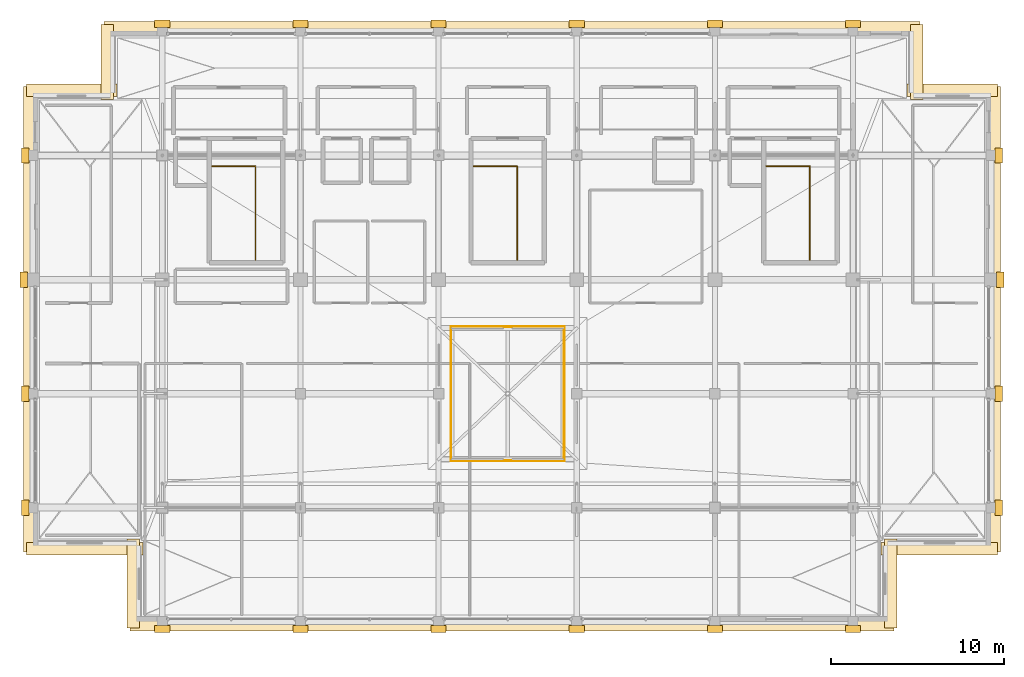
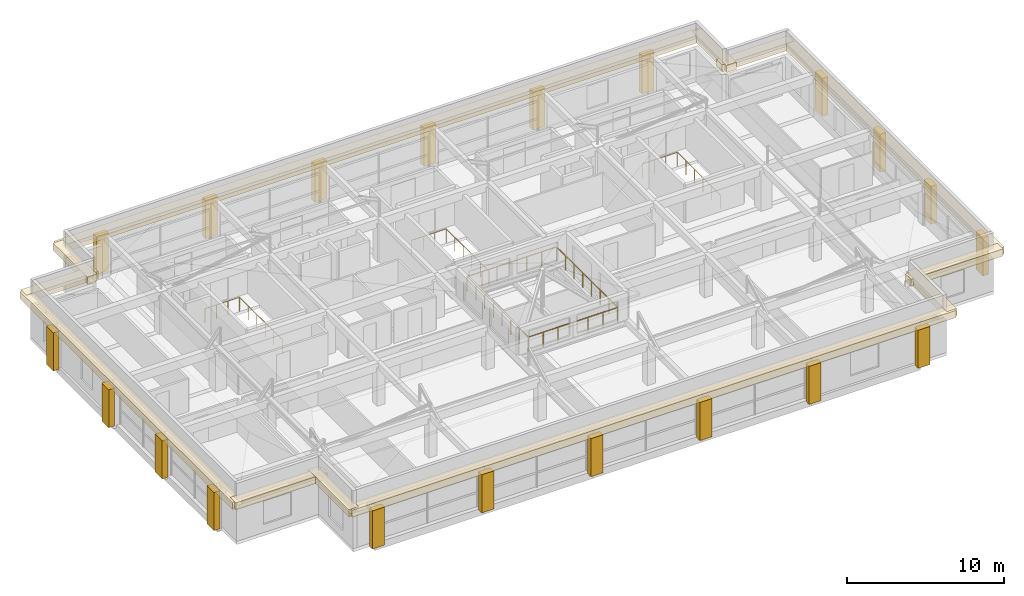
# One storey, part 39 of 39: 32 coverings, 7 railings.
"""IFC4 building model written with IfcOpenShell, lengths in metres."""

import ifcopenshell
import ifcopenshell.guid

model = None  # the IFC model being written
_history = None  # IfcOwnerHistory: only IFC2X3 demands one
_inside = {}  # id of a spatial element -> (the spatial element, [elements in it])
_under = {}  # id of a project, library or spatial element -> (it, [spatial elements below it])
_declared = {}  # id of a project -> (the project, [libraries it declares])
_typed = {}  # id of a type object -> (the type object, [elements of that type])
_made_of = {}  # id of a material, layer set ... -> (it, [elements and type objects made of it])


def new_model(schema):
    """Start an empty IFC model of exactly this schema.

    Asked for "IFC4X3", IfcOpenShell would pick the latest addendum, in which some entities
    have other attributes; the version numbers below select the first issue.
    IFC2X3 requires an IfcOwnerHistory on every rooted entity: one is made here for all.
    """
    global model, _history
    if schema == "IFC4X3":
        model = ifcopenshell.file(schema_version=(4, 3, 0, 0))
    else:
        model = ifcopenshell.file(schema=schema)
    _inside.clear()
    _under.clear()
    _declared.clear()
    _typed.clear()
    _made_of.clear()
    _history = None
    if model.schema == "IFC2X3":
        org = make("IfcOrganization", Name="unknown")
        user = make(
            "IfcPersonAndOrganization",
            ThePerson=make("IfcPerson", FamilyName="unknown"),
            TheOrganization=org,
        )
        app = make(
            "IfcApplication",
            ApplicationDeveloper=org,
            Version="unknown",
            ApplicationFullName="unknown",
            ApplicationIdentifier="unknown",
        )
        _history = make(
            "IfcOwnerHistory",
            OwningUser=user,
            OwningApplication=app,
            ChangeAction="ADDED",
            CreationDate=0,
        )
    return model


def make(cls, **values):
    """One entity of the class cls with the attributes given. An attribute that is None is left unset."""
    return model.create_entity(
        cls, **{name: value for name, value in values.items() if value is not None}
    )


def rooted(cls, **values):
    """An entity with a GlobalId (a new one), such as an element, a storey or a relation."""
    return make(cls, GlobalId=ifcopenshell.guid.new(), OwnerHistory=_history, **values)


def si_unit(unit_type, name, prefix=None):
    """IfcSIUnit, for example si_unit("LENGTHUNIT", "METRE", prefix="MILLI")."""
    return make("IfcSIUnit", UnitType=unit_type, Prefix=prefix, Name=name)


def assignment(units):
    """IfcUnitAssignment: the units of a project."""
    return None if units is None else make("IfcUnitAssignment", Units=units)


def point(xyz):
    """IfcCartesianPoint."""
    return None if xyz is None else make("IfcCartesianPoint", Coordinates=xyz)


def direction(xyz):
    """IfcDirection."""
    return None if xyz is None else make("IfcDirection", DirectionRatios=xyz)


def frame(location, z_axis=None, x_axis=None):
    """IfcAxis2Placement3D, a coordinate frame: its origin and axes. An axis left out is left unset."""
    return make(
        "IfcAxis2Placement3D",
        Location=point(location),
        Axis=direction(z_axis),
        RefDirection=direction(x_axis),
    )


def frame_2d(location, x_axis=None):
    """IfcAxis2Placement2D, a coordinate frame in the plane: its origin and x axis."""
    return make(
        "IfcAxis2Placement2D", Location=point(location), RefDirection=direction(x_axis)
    )


def origin():
    """The frame at (0, 0, 0) with its axes left unset."""
    return frame((0.0, 0.0, 0.0))


def origin_2d():
    """The frame at (0, 0) in the plane with its x axis left unset."""
    return frame_2d((0.0, 0.0))


def place(relative_to, where):
    """IfcLocalPlacement: puts the frame where relative to a parent placement (None: the world)."""
    return make(
        "IfcLocalPlacement", PlacementRelTo=relative_to, RelativePlacement=where
    )


def context(
    kind, dimensions, precision=None, world=None, true_north=None, identifier=None
):
    """IfcGeometricRepresentationContext, for example the 3D "Model" context."""
    return make(
        "IfcGeometricRepresentationContext",
        ContextIdentifier=identifier,
        ContextType=kind,
        CoordinateSpaceDimension=dimensions,
        Precision=precision,
        WorldCoordinateSystem=world,
        TrueNorth=true_north,
    )


def subcontext(parent, identifier, kind, view, scale=None):
    """IfcGeometricRepresentationSubContext, for example "Body" below "Model"."""
    return make(
        "IfcGeometricRepresentationSubContext",
        ContextIdentifier=identifier,
        ContextType=kind,
        ParentContext=parent,
        TargetScale=scale,
        TargetView=view,
    )


def project(units=None, contexts=None):
    """IfcProject with its units and contexts."""
    return rooted(
        "IfcProject",
        Name="project",
        RepresentationContexts=contexts,
        UnitsInContext=assignment(units),
    )


def spatial(cls, under=None, at=None, **own):
    """A site, building, storey or space (cls), placed at a placement, below another one or the project."""
    s = rooted(cls, ObjectPlacement=at, **own)
    if under is not None:
        _under.setdefault(under.id(), (under, []))[1].append(s)
    return s


def profile(cls, at=None, kind="AREA", **sizes):
    """A parametric profile (cls). Its sizes go by their IFC names, for example OverallWidth=200.0."""
    return make(cls, ProfileType=kind, Position=at, **sizes)


def rectangle(**sizes):
    """IfcRectangleProfileDef."""
    return profile("IfcRectangleProfileDef", **sizes)


def circle(**sizes):
    """IfcCircleProfileDef."""
    return profile("IfcCircleProfileDef", **sizes)


def extrude(swept, where, along, depth):
    """IfcExtrudedAreaSolid: the profile swept, set in the frame where, extruded along a direction by depth."""
    return make(
        "IfcExtrudedAreaSolid",
        SweptArea=swept,
        Position=where,
        ExtrudedDirection=direction(along),
        Depth=depth,
    )


def shape(context_of_items, identifier, shape_type, items):
    """IfcShapeRepresentation: the items that make up one representation, for example the "Body"."""
    return make(
        "IfcShapeRepresentation",
        ContextOfItems=context_of_items,
        RepresentationIdentifier=identifier,
        RepresentationType=shape_type,
        Items=items,
    )


def material(Name=None, Category=None):
    """IfcMaterial."""
    return make("IfcMaterial", Name=Name, Category=Category)


def layer(
    of_material, thickness, ventilated=None, Name=None, Category=None, Priority=None
):
    """IfcMaterialLayer: one layer of a wall or slab, of a material (None: an air gap)."""
    return make(
        "IfcMaterialLayer",
        Material=of_material,
        LayerThickness=thickness,
        IsVentilated=ventilated,
        Name=Name,
        Category=Category,
        Priority=Priority,
    )


def layer_set(layers, Name=None):
    """IfcMaterialLayerSet."""
    return make("IfcMaterialLayerSet", MaterialLayers=layers, LayerSetName=Name)


def made_of(thing, what):
    """Note that an element or type object is made of a material, layer set ...; save() writes the relation."""
    if what is not None:
        _made_of.setdefault(what.id(), (what, []))[1].append(thing)
    return thing


def type_object(cls, material=None, **own):
    """A type object (cls), such as IfcWallType, which elements share."""
    return made_of(rooted(cls, **own), material)


def element(
    cls,
    number,
    at=None,
    inside=None,
    cuts=None,
    type_object=None,
    material=None,
    context=None,
    identifier="Body",
    shape_type=None,
    held_by="IfcProductDefinitionShape",
    body=None,
    shapes=None,
    **own,
):
    """One element of the class cls, such as IfcWall. Its Tag is "e" and its number.

    at: its placement. inside: the storey or other place that contains it. cuts: it is an
    opening in that element (IfcRelVoidsElement). A single representation is given by context,
    identifier, shape_type and body (its items); several are given by shapes. held_by: the class
    of the entity that holds the representations. save() writes the other relations.
    """
    e = rooted(cls, Tag="e%d" % number, ObjectPlacement=at, **own)
    if body is not None:
        shapes = [shape(context, identifier, shape_type, body)]
    if shapes is not None:
        e.Representation = make(held_by, Representations=shapes)
    if inside is not None:
        _inside.setdefault(inside.id(), (inside, []))[1].append(e)
    if cuts is not None:
        rooted(
            "IfcRelVoidsElement", RelatingBuildingElement=cuts, RelatedOpeningElement=e
        )
    if type_object is not None:
        _typed.setdefault(type_object.id(), (type_object, []))[1].append(e)
    return made_of(e, material)


def aggregate(whole, parts):
    """IfcRelAggregates: a whole, such as a stair, and the parts it consists of."""
    return rooted("IfcRelAggregates", RelatingObject=whole, RelatedObjects=parts)


def save(model, path):
    """Write the relations noted so far, then the file.

    IfcRelAggregates (storeys below a building ...), IfcRelContainedInSpatialStructure (elements
    in a storey), IfcRelDefinesByType, IfcRelAssociatesMaterial and IfcRelDeclares: one each for
    every whole, place, type object, material and project.
    """
    for whole, parts in _under.values():
        aggregate(whole, parts)
    for where, things in _inside.values():
        rooted(
            "IfcRelContainedInSpatialStructure",
            RelatedElements=things,
            RelatingStructure=where,
        )
    for kind, things in _typed.values():
        rooted("IfcRelDefinesByType", RelatedObjects=things, RelatingType=kind)
    for what, things in _made_of.values():
        rooted("IfcRelAssociatesMaterial", RelatedObjects=things, RelatingMaterial=what)
    for by, libraries in _declared.values():
        rooted("IfcRelDeclares", RelatingContext=by, RelatedDefinitions=libraries)
    model.write(path)


model = new_model("IFC4")

# Units and contexts
model_context = context("Model", 3, precision=1e-05, world=origin(), true_north=direction((0.0, 1.0)))
body_context = subcontext(model_context, "Body", "Model", "MODEL_VIEW")
ifc_project = project(units=[si_unit("LENGTHUNIT", "METRE"), si_unit("AREAUNIT", "SQUARE_METRE"), si_unit("VOLUMEUNIT", "CUBIC_METRE"), si_unit("PLANEANGLEUNIT", "RADIAN"), si_unit("MASSUNIT", "GRAM", prefix="KILO")], contexts=[model_context])

# Site, building, storey
site_placement = place(None, origin())
site = spatial("IfcSite", under=ifc_project, at=site_placement, CompositionType="ELEMENT")
building_placement = place(site_placement, origin())
building = spatial("IfcBuilding", under=site, at=building_placement, Name="Akrevak Sports Hall", CompositionType="ELEMENT")
storey_placement = place(building_placement, frame((0.0, 0.0, 66.550048828125)))
storey = spatial("IfcBuildingStorey", under=building, at=storey_placement, Name="L17", CompositionType="ELEMENT", Elevation=66.550048828125)

# Coverings
ifc_material_1 = material(Name="Limestone Ashlar", Category="stone")
ifc_layer_1 = layer(ifc_material_1, 0.6201171875, Name="Limestone Ashlar")
ifc_layer_set_1 = layer_set([ifc_layer_1], Name="Limestone Ashlar")
covering_type_1 = type_object("IfcCoveringType", Name="ARC-COV-CRN-LIM", PredefinedType="MOLDING", material=ifc_layer_set_1)
covering_1_placement = place(storey_placement, frame((80.25, 35.219970703125, 2.889892578125), z_axis=(0.0, 0.0, 1.0), x_axis=(1.0, 0.0, 0.0)))
element("IfcCovering", 1, at=covering_1_placement, inside=storey, type_object=covering_type_1, Name="Tower Crown Classical Entablature Cornice L17-CRN-01", PredefinedType="MOLDING", context=body_context, shape_type="SweptSolid", body=[
    extrude(rectangle(XDim=44.256103515625, YDim=0.719970703125, at=origin_2d()), origin(), (0.0, 0.0, 1.0), 0.56005859375),
])
covering_2_placement = place(storey_placement, frame((102.179931640625, 37.60009765625, 2.889892578125), z_axis=(0.0, 0.0, 1.0), x_axis=(0.0, 1.0, 0.0)))
element("IfcCovering", 2, at=covering_2_placement, inside=storey, type_object=covering_type_1, Name="Tower Crown Classical Entablature Cornice L17-CRN-02", PredefinedType="MOLDING", context=body_context, shape_type="SweptSolid", body=[
    extrude(rectangle(XDim=5.156005859375, YDim=0.719970703125, at=origin_2d()), origin(), (0.0, 0.0, 1.0), 0.56005859375),
])
covering_3_placement = place(storey_placement, frame((105.0, 39.6201171875, 2.889892578125), z_axis=(0.0, 0.0, 1.0), x_axis=(1.0, 0.0, 0.0)))
element("IfcCovering", 3, at=covering_3_placement, inside=storey, type_object=covering_type_1, Name="Tower Crown Classical Entablature Cornice L17-CRN-03", PredefinedType="MOLDING", context=body_context, shape_type="SweptSolid", body=[
    extrude(rectangle(XDim=6.756103515625, YDim=0.719970703125, at=origin_2d()), origin(), (0.0, 0.0, 1.0), 0.56005859375),
])
covering_4_placement = place(storey_placement, frame((108.179931640625, 52.89990234375, 2.889892578125), z_axis=(0.0, 0.0, 1.0), x_axis=(0.0, 1.0, 0.0)))
element("IfcCovering", 4, at=covering_4_placement, inside=storey, type_object=covering_type_1, Name="Tower Crown Classical Entablature Cornice L17-CRN-04", PredefinedType="MOLDING", context=body_context, shape_type="SweptSolid", body=[
    extrude(rectangle(XDim=26.9560546875, YDim=0.719970703125, at=origin_2d()), origin(), (0.0, 0.0, 1.0), 0.56005859375),
])
covering_5_placement = place(storey_placement, frame((105.75, 66.179931640625, 2.889892578125), z_axis=(0.0, 0.0, 1.0), x_axis=(-1.0, 0.0, 0.0)))
element("IfcCovering", 5, at=covering_5_placement, inside=storey, type_object=covering_type_1, Name="Tower Crown Classical Entablature Cornice L17-CRN-05", PredefinedType="MOLDING", context=body_context, shape_type="SweptSolid", body=[
    extrude(rectangle(XDim=5.256103515625, YDim=0.719970703125, at=origin_2d()), origin(), (0.0, 0.0, 1.0), 0.56005859375),
])
covering_6_placement = place(storey_placement, frame((103.679931640625, 67.800048828125, 2.889892578125), z_axis=(0.0, 0.0, 1.0), x_axis=(0.0, 1.0, 0.0)))
element("IfcCovering", 6, at=covering_6_placement, inside=storey, type_object=covering_type_1, Name="Tower Crown Classical Entablature Cornice L17-CRN-06", PredefinedType="MOLDING", context=body_context, shape_type="SweptSolid", body=[
    extrude(rectangle(XDim=4.35595703125, YDim=0.719970703125, at=origin_2d()), origin(), (0.0, 0.0, 1.0), 0.56005859375),
])
covering_7_placement = place(storey_placement, frame((80.25, 69.780029296875, 2.889892578125), z_axis=(0.0, 0.0, 1.0), x_axis=(-1.0, 0.0, 0.0)))
element("IfcCovering", 7, at=covering_7_placement, inside=storey, type_object=covering_type_1, Name="Tower Crown Classical Entablature Cornice L17-CRN-07", PredefinedType="MOLDING", context=body_context, shape_type="SweptSolid", body=[
    extrude(rectangle(XDim=47.256103515625, YDim=0.719970703125, at=origin_2d()), origin(), (0.0, 0.0, 1.0), 0.56005859375),
])
covering_8_placement = place(storey_placement, frame((56.820068359375, 67.800048828125, 2.889892578125), z_axis=(0.0, 0.0, 1.0), x_axis=(0.0, -1.0, 0.0)))
element("IfcCovering", 8, at=covering_8_placement, inside=storey, type_object=covering_type_1, Name="Tower Crown Classical Entablature Cornice L17-CRN-08", PredefinedType="MOLDING", context=body_context, shape_type="SweptSolid", body=[
    extrude(rectangle(XDim=4.35595703125, YDim=0.719970703125, at=origin_2d()), origin(), (0.0, 0.0, 1.0), 0.56005859375),
])
covering_9_placement = place(storey_placement, frame((54.75, 66.179931640625, 2.889892578125), z_axis=(0.0, 0.0, 1.0), x_axis=(-1.0, 0.0, 0.0)))
element("IfcCovering", 9, at=covering_9_placement, inside=storey, type_object=covering_type_1, Name="Tower Crown Classical Entablature Cornice L17-CRN-09", PredefinedType="MOLDING", context=body_context, shape_type="SweptSolid", body=[
    extrude(rectangle(XDim=5.256103515625, YDim=0.719970703125, at=origin_2d()), origin(), (0.0, 0.0, 1.0), 0.56005859375),
])
covering_10_placement = place(storey_placement, frame((52.320068359375, 52.89990234375, 2.889892578125), z_axis=(0.0, 0.0, 1.0), x_axis=(0.0, -1.0, 0.0)))
element("IfcCovering", 10, at=covering_10_placement, inside=storey, type_object=covering_type_1, Name="Tower Crown Classical Entablature Cornice L17-CRN-10", PredefinedType="MOLDING", context=body_context, shape_type="SweptSolid", body=[
    extrude(rectangle(XDim=26.9560546875, YDim=0.719970703125, at=origin_2d()), origin(), (0.0, 0.0, 1.0), 0.56005859375),
])
covering_11_placement = place(storey_placement, frame((55.5, 39.6201171875, 2.889892578125), z_axis=(0.0, 0.0, 1.0), x_axis=(1.0, 0.0, 0.0)))
element("IfcCovering", 11, at=covering_11_placement, inside=storey, type_object=covering_type_1, Name="Tower Crown Classical Entablature Cornice L17-CRN-11", PredefinedType="MOLDING", context=body_context, shape_type="SweptSolid", body=[
    extrude(rectangle(XDim=6.756103515625, YDim=0.719970703125, at=origin_2d()), origin(), (0.0, 0.0, 1.0), 0.56005859375),
])
covering_12_placement = place(storey_placement, frame((58.320068359375, 37.60009765625, 2.889892578125), z_axis=(0.0, 0.0, 1.0), x_axis=(0.0, -1.0, 0.0)))
element("IfcCovering", 12, at=covering_12_placement, inside=storey, type_object=covering_type_1, Name="Tower Crown Classical Entablature Cornice L17-CRN-12", PredefinedType="MOLDING", context=body_context, shape_type="SweptSolid", body=[
    extrude(rectangle(XDim=5.156005859375, YDim=0.719970703125, at=origin_2d()), origin(), (0.0, 0.0, 1.0), 0.56005859375),
])
ifc_layer_2 = layer(ifc_material_1, 0.47998046875, Name="Limestone Ashlar")
ifc_layer_set_2 = layer_set([ifc_layer_2], Name="Limestone Ashlar")
covering_type_2 = type_object("IfcCoveringType", Name="ARC-COV-PIL-LIM", PredefinedType="CLADDING", material=ifc_layer_set_2)
for number, where, z_axis, x_axis, name in (
    (13, (60.0, 34.969970703125, 0.0), (0.0, 0.0, 1.0), (1.0, 0.0, 0.0), "Giant-Order Limestone Pilaster L17-01-01"),
    (14, (68.0, 34.969970703125, 0.0), (0.0, 0.0, 1.0), (1.0, 0.0, 0.0), "Giant-Order Limestone Pilaster L17-01-02"),
    (15, (76.0, 34.969970703125, 0.0), (0.0, 0.0, 1.0), (1.0, 0.0, 0.0), "Giant-Order Limestone Pilaster L17-01-03"),
    (16, (84.0, 34.969970703125, 0.0), (0.0, 0.0, 1.0), (1.0, 0.0, 0.0), "Giant-Order Limestone Pilaster L17-01-04"),
    (17, (92.0, 34.969970703125, 0.0), (0.0, 0.0, 1.0), (1.0, 0.0, 0.0), "Giant-Order Limestone Pilaster L17-01-05"),
    (18, (100.0, 34.969970703125, 0.0), (0.0, 0.0, 1.0), (1.0, 0.0, 0.0), "Giant-Order Limestone Pilaster L17-01-06"),
    (19, (108.429931640625, 42.0, 0.0), (0.0, 0.0, 1.0), (0.0, 1.0, 0.0), "Giant-Order Limestone Pilaster L17-04-07"),
    (20, (108.429931640625, 48.60009765625, 0.0), (0.0, 0.0, 1.0), (0.0, 1.0, 0.0), "Giant-Order Limestone Pilaster L17-04-08"),
    (21, (108.530029296875, 55.199951171875, 0.0), (0.0, 0.0, 1.0), (0.0, 1.0, 0.0), "Giant-Order Limestone Pilaster L17-04-09"),
    (22, (108.429931640625, 62.39990234375, 0.0), (0.0, 0.0, 1.0), (0.0, 1.0, 0.0), "Giant-Order Limestone Pilaster L17-04-10"),
    (23, (60.0, 70.030029296875, 0.0), (0.0, 0.0, 1.0), (-1.0, 0.0, 0.0), "Giant-Order Limestone Pilaster L17-07-11"),
    (24, (68.0, 70.030029296875, 0.0), (0.0, 0.0, 1.0), (-1.0, 0.0, 0.0), "Giant-Order Limestone Pilaster L17-07-12"),
    (25, (76.0, 70.030029296875, 0.0), (0.0, 0.0, 1.0), (-1.0, 0.0, 0.0), "Giant-Order Limestone Pilaster L17-07-13"),
    (26, (84.0, 70.030029296875, 0.0), (0.0, 0.0, 1.0), (-1.0, 0.0, 0.0), "Giant-Order Limestone Pilaster L17-07-14"),
    (27, (92.0, 70.030029296875, 0.0), (0.0, 0.0, 1.0), (-1.0, 0.0, 0.0), "Giant-Order Limestone Pilaster L17-07-15"),
    (28, (100.0, 70.030029296875, 0.0), (0.0, 0.0, 1.0), (-1.0, 0.0, 0.0), "Giant-Order Limestone Pilaster L17-07-16"),
    (29, (52.070068359375, 42.0, 0.0), (0.0, 0.0, 1.0), (0.0, -1.0, 0.0), "Giant-Order Limestone Pilaster L17-10-17"),
    (30, (52.070068359375, 48.60009765625, 0.0), (0.0, 0.0, 1.0), (0.0, -1.0, 0.0), "Giant-Order Limestone Pilaster L17-10-18"),
    (31, (51.969970703125, 55.199951171875, 0.0), (0.0, 0.0, 1.0), (0.0, -1.0, 0.0), "Giant-Order Limestone Pilaster L17-10-19"),
    (32, (52.070068359375, 62.39990234375, 0.0), (0.0, 0.0, 1.0), (0.0, -1.0, 0.0), "Giant-Order Limestone Pilaster L17-10-20"),
):
    element("IfcCovering", number, at=place(storey_placement, frame(where, z_axis=z_axis, x_axis=x_axis)), inside=storey, type_object=covering_type_2, Name=name, PredefinedType="CLADDING", context=body_context, shape_type="SweptSolid", body=[
        extrude(rectangle(XDim=0.8798828125, YDim=0.419921875, at=origin_2d()), origin(), (0.0, 0.0, 1.0), 2.949951171875),
    ])

# Railings
ifc_material_2 = material(Name="Painted Architectural Balustrade Steel", Category="steel")
ifc_layer_3 = layer(ifc_material_2, 0.06005859375, Name="Painted Architectural Balustrade Steel")
ifc_layer_set_3 = layer_set([ifc_layer_3], Name="Painted Architectural Balustrade Steel")
railing_type_1 = type_object("IfcRailingType", Name="ARC-RL-GRD-1120", PredefinedType="GUARDRAIL", material=ifc_layer_set_3)
railing_1_placement = place(storey_placement, frame((62.8701171875, 61.77490234375, 0.0)))
element("IfcRailing", 33, at=railing_1_placement, inside=storey, type_object=railing_type_1, Name="Top Stairwell Guardrail ST1 (L17)", PredefinedType="GUARDRAIL", context=body_context, shape_type="SweptSolid", body=[
    extrude(circle(Radius=0.02392578125, at=origin_2d()), frame((0.0, 0.0, 1.09619140625), z_axis=(1.0, 0.0, 0.0), x_axis=(0.0, 1.0, 0.0)), (0.0, 0.0, 1.0), 2.52978515625),
    extrude(circle(Radius=0.02392578125, at=origin_2d()), frame((2.52978515625, 0.0, 1.09619140625), z_axis=(0.0, -1.0, 0.0), x_axis=(1.0, 0.0, 0.0)), (0.0, 0.0, 1.0), 5.434814453125),
    extrude(circle(Radius=0.02099609375, at=origin_2d()), origin(), (0.0, 0.0, 1.0), 1.072021484375),
    extrude(circle(Radius=0.02099609375, at=origin_2d()), frame((0.84326171875, 0.0, 0.0)), (0.0, 0.0, 1.0), 1.072021484375),
    extrude(circle(Radius=0.02099609375, at=origin_2d()), frame((1.6865234375, 0.0, 0.0)), (0.0, 0.0, 1.0), 1.072021484375),
    extrude(circle(Radius=0.02099609375, at=origin_2d()), frame((2.52978515625, 0.0, 0.0)), (0.0, 0.0, 1.0), 1.072021484375),
    extrude(circle(Radius=0.02099609375, at=origin_2d()), frame((2.52978515625, -1.0869140625, 0.0)), (0.0, 0.0, 1.0), 1.072021484375),
    extrude(circle(Radius=0.02099609375, at=origin_2d()), frame((2.52978515625, -2.173828125, 0.0)), (0.0, 0.0, 1.0), 1.072021484375),
    extrude(circle(Radius=0.02099609375, at=origin_2d()), frame((2.52978515625, -3.260986328125, 0.0)), (0.0, 0.0, 1.0), 1.072021484375),
    extrude(circle(Radius=0.02099609375, at=origin_2d()), frame((2.52978515625, -4.347900390625, 0.0)), (0.0, 0.0, 1.0), 1.072021484375),
    extrude(circle(Radius=0.02099609375, at=origin_2d()), frame((2.52978515625, -5.434814453125, 0.0)), (0.0, 0.0, 1.0), 1.072021484375),
])
for number, where, name in (
    (34, (94.969970703125, 61.77490234375, 0.0), "Top Stairwell Guardrail ST2 (L17)"),
    (35, (78.02001953125, 61.77490234375, 0.0), "Top Stairwell Guardrail ST3 (L17)"),
):
    element("IfcRailing", number, at=place(storey_placement, frame(where)), inside=storey, type_object=railing_type_1, Name=name, PredefinedType="GUARDRAIL", context=body_context, shape_type="SweptSolid", body=[
        extrude(circle(Radius=0.02392578125, at=origin_2d()), frame((0.0, 0.0, 1.09619140625), z_axis=(1.0, 0.0, 0.0), x_axis=(0.0, 1.0, 0.0)), (0.0, 0.0, 1.0), 2.530029296875),
        extrude(circle(Radius=0.02392578125, at=origin_2d()), frame((2.530029296875, 0.0, 1.09619140625), z_axis=(0.0, -1.0, 0.0), x_axis=(1.0, 0.0, 0.0)), (0.0, 0.0, 1.0), 5.434814453125),
        extrude(circle(Radius=0.02099609375, at=origin_2d()), origin(), (0.0, 0.0, 1.0), 1.072021484375),
        extrude(circle(Radius=0.02099609375, at=origin_2d()), frame((0.84326171875, 0.0, 0.0)), (0.0, 0.0, 1.0), 1.072021484375),
        extrude(circle(Radius=0.02099609375, at=origin_2d()), frame((1.686767578125, 0.0, 0.0)), (0.0, 0.0, 1.0), 1.072021484375),
        extrude(circle(Radius=0.02099609375, at=origin_2d()), frame((2.530029296875, 0.0, 0.0)), (0.0, 0.0, 1.0), 1.072021484375),
        extrude(circle(Radius=0.02099609375, at=origin_2d()), frame((2.530029296875, -1.0869140625, 0.0)), (0.0, 0.0, 1.0), 1.072021484375),
        extrude(circle(Radius=0.02099609375, at=origin_2d()), frame((2.530029296875, -2.173828125, 0.0)), (0.0, 0.0, 1.0), 1.072021484375),
        extrude(circle(Radius=0.02099609375, at=origin_2d()), frame((2.530029296875, -3.260986328125, 0.0)), (0.0, 0.0, 1.0), 1.072021484375),
        extrude(circle(Radius=0.02099609375, at=origin_2d()), frame((2.530029296875, -4.347900390625, 0.0)), (0.0, 0.0, 1.0), 1.072021484375),
        extrude(circle(Radius=0.02099609375, at=origin_2d()), frame((2.530029296875, -5.434814453125, 0.0)), (0.0, 0.0, 1.0), 1.072021484375),
    ])
ifc_material_3 = material(Name="Anodized Bronze Aluminium & Laminated Glass", Category="aluminium")
ifc_layer_4 = layer(ifc_material_3, 0.080078125, Name="Anodized Bronze Aluminium & Laminated Glass")
ifc_layer_set_4 = layer_set([ifc_layer_4], Name="Anodized Bronze Aluminium & Laminated Glass")
railing_type_2 = type_object("IfcRailingType", Name="ARC-RL-GRD-1150", PredefinedType="GUARDRAIL", material=ifc_layer_set_4)
railing_2_placement = place(storey_placement, frame((76.719970703125, 44.719970703125, 3.25)))
element("IfcRailing", 36, at=railing_2_placement, inside=storey, type_object=railing_type_2, Name="Atrium/Arena Gallery Guardrail L17-CUP-S", PredefinedType="GUARDRAIL", context=body_context, shape_type="SweptSolid", body=[
    extrude(circle(Radius=0.02392578125, at=origin_2d()), frame((0.0, 0.0, 1.1259765625), z_axis=(1.0, 0.0, 0.0), x_axis=(0.0, 1.0, 0.0)), (0.0, 0.0, 1.0), 6.56005859375),
    extrude(circle(Radius=0.02099609375, at=origin_2d()), origin(), (0.0, 0.0, 1.0), 1.101806640625),
    extrude(circle(Radius=0.02099609375, at=origin_2d()), frame((1.09326171875, 0.0, 0.0)), (0.0, 0.0, 1.0), 1.101806640625),
    extrude(circle(Radius=0.02099609375, at=origin_2d()), frame((2.186767578125, 0.0, 0.0)), (0.0, 0.0, 1.0), 1.101806640625),
    extrude(circle(Radius=0.02099609375, at=origin_2d()), frame((3.280029296875, 0.0, 0.0)), (0.0, 0.0, 1.0), 1.101806640625),
    extrude(circle(Radius=0.02099609375, at=origin_2d()), frame((4.373291015625, 0.0, 0.0)), (0.0, 0.0, 1.0), 1.101806640625),
    extrude(circle(Radius=0.02099609375, at=origin_2d()), frame((5.466796875, 0.0, 0.0)), (0.0, 0.0, 1.0), 1.101806640625),
    extrude(circle(Radius=0.02099609375, at=origin_2d()), frame((6.56005859375, 0.0, 0.0)), (0.0, 0.0, 1.0), 1.101806640625),
])
railing_3_placement = place(storey_placement, frame((83.280029296875, 52.47998046875, 3.25)))
element("IfcRailing", 37, at=railing_3_placement, inside=storey, type_object=railing_type_2, Name="Atrium/Arena Gallery Guardrail L17-CUP-N", PredefinedType="GUARDRAIL", context=body_context, shape_type="SweptSolid", body=[
    extrude(circle(Radius=0.02392578125, at=origin_2d()), frame((0.0, 0.0, 1.1259765625), z_axis=(-1.0, 0.0, 0.0), x_axis=(0.0, -1.0, 0.0)), (0.0, 0.0, 1.0), 6.56005859375),
    extrude(circle(Radius=0.02099609375, at=origin_2d()), origin(), (0.0, 0.0, 1.0), 1.101806640625),
    extrude(circle(Radius=0.02099609375, at=origin_2d()), frame((-1.09326171875, 0.0, 0.0)), (0.0, 0.0, 1.0), 1.101806640625),
    extrude(circle(Radius=0.02099609375, at=origin_2d()), frame((-2.186767578125, 0.0, 0.0)), (0.0, 0.0, 1.0), 1.101806640625),
    extrude(circle(Radius=0.02099609375, at=origin_2d()), frame((-3.280029296875, 0.0, 0.0)), (0.0, 0.0, 1.0), 1.101806640625),
    extrude(circle(Radius=0.02099609375, at=origin_2d()), frame((-4.373291015625, 0.0, 0.0)), (0.0, 0.0, 1.0), 1.101806640625),
    extrude(circle(Radius=0.02099609375, at=origin_2d()), frame((-5.466796875, 0.0, 0.0)), (0.0, 0.0, 1.0), 1.101806640625),
    extrude(circle(Radius=0.02099609375, at=origin_2d()), frame((-6.56005859375, 0.0, 0.0)), (0.0, 0.0, 1.0), 1.101806640625),
])
railing_4_placement = place(storey_placement, frame((76.719970703125, 52.47998046875, 3.25)))
element("IfcRailing", 38, at=railing_4_placement, inside=storey, type_object=railing_type_2, Name="Atrium/Arena Gallery Guardrail L17-CUP-W", PredefinedType="GUARDRAIL", context=body_context, shape_type="SweptSolid", body=[
    extrude(circle(Radius=0.02392578125, at=origin_2d()), frame((0.0, 0.0, 1.1259765625), z_axis=(0.0, -1.0, 0.0), x_axis=(1.0, 0.0, 0.0)), (0.0, 0.0, 1.0), 7.760009765625),
    extrude(circle(Radius=0.02099609375, at=origin_2d()), origin(), (0.0, 0.0, 1.0), 1.101806640625),
    extrude(circle(Radius=0.02099609375, at=origin_2d()), frame((0.0, -1.108642578125, 0.0)), (0.0, 0.0, 1.0), 1.101806640625),
    extrude(circle(Radius=0.02099609375, at=origin_2d()), frame((0.0, -2.217041015625, 0.0)), (0.0, 0.0, 1.0), 1.101806640625),
    extrude(circle(Radius=0.02099609375, at=origin_2d()), frame((0.0, -3.32568359375, 0.0)), (0.0, 0.0, 1.0), 1.101806640625),
    extrude(circle(Radius=0.02099609375, at=origin_2d()), frame((0.0, -4.434326171875, 0.0)), (0.0, 0.0, 1.0), 1.101806640625),
    extrude(circle(Radius=0.02099609375, at=origin_2d()), frame((0.0, -5.54296875, 0.0)), (0.0, 0.0, 1.0), 1.101806640625),
    extrude(circle(Radius=0.02099609375, at=origin_2d()), frame((0.0, -6.6513671875, 0.0)), (0.0, 0.0, 1.0), 1.101806640625),
    extrude(circle(Radius=0.02099609375, at=origin_2d()), frame((0.0, -7.760009765625, 0.0)), (0.0, 0.0, 1.0), 1.101806640625),
])
railing_5_placement = place(storey_placement, frame((83.280029296875, 44.719970703125, 3.25)))
element("IfcRailing", 39, at=railing_5_placement, inside=storey, type_object=railing_type_2, Name="Atrium/Arena Gallery Guardrail L17-CUP-E", PredefinedType="GUARDRAIL", context=body_context, shape_type="SweptSolid", body=[
    extrude(circle(Radius=0.02392578125, at=origin_2d()), frame((0.0, 0.0, 1.1259765625), z_axis=(0.0, 1.0, 0.0), x_axis=(-1.0, 0.0, 0.0)), (0.0, 0.0, 1.0), 7.760009765625),
    extrude(circle(Radius=0.02099609375, at=origin_2d()), origin(), (0.0, 0.0, 1.0), 1.101806640625),
    extrude(circle(Radius=0.02099609375, at=origin_2d()), frame((0.0, 1.108642578125, 0.0)), (0.0, 0.0, 1.0), 1.101806640625),
    extrude(circle(Radius=0.02099609375, at=origin_2d()), frame((0.0, 2.217041015625, 0.0)), (0.0, 0.0, 1.0), 1.101806640625),
    extrude(circle(Radius=0.02099609375, at=origin_2d()), frame((0.0, 3.32568359375, 0.0)), (0.0, 0.0, 1.0), 1.101806640625),
    extrude(circle(Radius=0.02099609375, at=origin_2d()), frame((0.0, 4.434326171875, 0.0)), (0.0, 0.0, 1.0), 1.101806640625),
    extrude(circle(Radius=0.02099609375, at=origin_2d()), frame((0.0, 5.54296875, 0.0)), (0.0, 0.0, 1.0), 1.101806640625),
    extrude(circle(Radius=0.02099609375, at=origin_2d()), frame((0.0, 6.6513671875, 0.0)), (0.0, 0.0, 1.0), 1.101806640625),
    extrude(circle(Radius=0.02099609375, at=origin_2d()), frame((0.0, 7.760009765625, 0.0)), (0.0, 0.0, 1.0), 1.101806640625),
])

save(model, "model.ifc")
